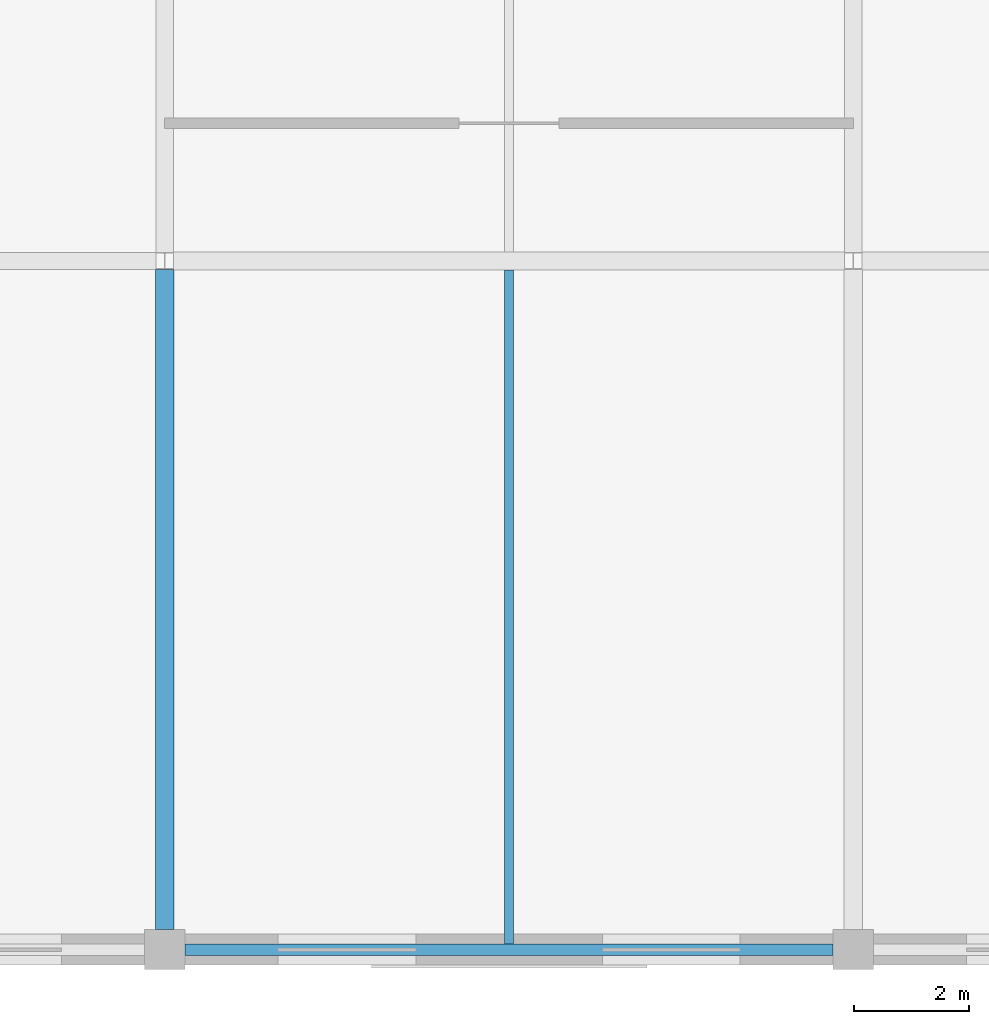
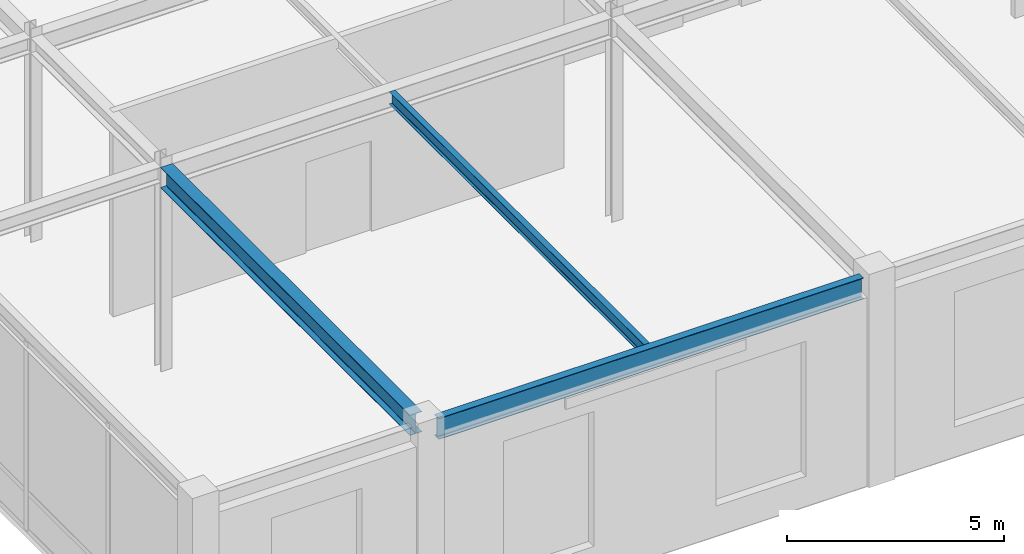
# One storey, part 59 of 108: 3 beams.
"""IFC4 building model written with IfcOpenShell, lengths in metres."""

from ifc_helpers import new_model, si_unit, direction, frame, origin, origin_2d, place, context, subcontext, project, spatial, i_section, extrude, material, material_profile, profile_set, type_object, element, save


model = new_model("IFC4")

# Units and contexts
model_context = context("Model", 3, precision=1e-05, world=origin(), true_north=direction((0.0, 1.0)))
body_context = subcontext(model_context, "Body", "Model", "MODEL_VIEW")
ifc_project = project(units=[si_unit("LENGTHUNIT", "METRE"), si_unit("AREAUNIT", "SQUARE_METRE"), si_unit("VOLUMEUNIT", "CUBIC_METRE"), si_unit("PLANEANGLEUNIT", "RADIAN"), si_unit("MASSUNIT", "GRAM", prefix="KILO")], contexts=[model_context])

# Site, building, storey
site_placement = place(None, origin())
site = spatial("IfcSite", under=ifc_project, at=site_placement, CompositionType="ELEMENT")
building_placement = place(site_placement, origin())
building = spatial("IfcBuilding", under=site, at=building_placement, Name="Zlatovratsky Civic Hall", CompositionType="ELEMENT")
storey_placement = place(building_placement, frame((0.0, 0.0, 6.0)))
storey = spatial("IfcBuildingStorey", under=building, at=storey_placement, Name="L02", CompositionType="ELEMENT", Elevation=6.0)

# Beams
ifc_material = material(Name="Steel S355", Category="steel")
ifc_material_profile_1 = material_profile(ifc_material, i_section(OverallWidth=0.320068359375, OverallDepth=0.58203125, WebThickness=0.011962890625, FlangeThickness=0.01708984375, FilletRadius=0.02392578125, at=origin_2d()), Name="60Sh1")
ifc_profile_set_1 = profile_set([ifc_material_profile_1], Name="Steel S355")
beam_type_1 = type_object("IfcBeamType", Name="Beam_PodiumGirder_60Sh1", PredefinedType="BEAM", material=ifc_profile_set_1)
beam_1_placement = place(storey_placement, frame((120.0, 0.35009765625, 5.468994140625), z_axis=(0.0, 1.0, 0.0), x_axis=(-1.0, 0.0, 0.0)))
element("IfcBeam", 1, at=beam_1_placement, inside=storey, type_object=beam_type_1, Name="BM-2299", PredefinedType="BEAM", context=body_context, shape_type="SweptSolid", body=[
    extrude(i_section(OverallWidth=0.320068359375, OverallDepth=0.58203125, WebThickness=0.011962890625, FlangeThickness=0.01708984375, FilletRadius=0.02392578125, at=origin_2d()), origin(), (0.0, 0.0, 1.0), 11.5),
])
ifc_material_profile_2 = material_profile(ifc_material, i_section(OverallWidth=0.198974609375, OverallDepth=0.593017578125, WebThickness=0.010498046875, FlangeThickness=0.014892578125, FilletRadius=0.01806640625, at=origin_2d()), Name="60B1")
ifc_profile_set_2 = profile_set([ifc_material_profile_2], Name="Steel S355")
beam_type_2 = type_object("IfcBeamType", Name="Beam_Spandrel_60B1", PredefinedType="SPANDREL", material=ifc_profile_set_2)
beam_2_placement = place(storey_placement, frame((120.35009765625, 0.0, 5.46337890625), z_axis=(1.0, 0.0, 0.0), x_axis=(0.0, 1.0, 0.0)))
element("IfcBeam", 2, at=beam_2_placement, inside=storey, type_object=beam_type_2, Name="BM-1734", PredefinedType="SPANDREL", context=body_context, shape_type="SweptSolid", body=[
    extrude(i_section(OverallWidth=0.198974609375, OverallDepth=0.593017578125, WebThickness=0.010498046875, FlangeThickness=0.014892578125, FilletRadius=0.01806640625, at=origin_2d()), origin(), (0.0, 0.0, 1.0), 11.2998046875),
])
ifc_material_profile_3 = material_profile(ifc_material, i_section(OverallWidth=0.155029296875, OverallDepth=0.345947265625, WebThickness=0.006103515625, FlangeThickness=0.008544921875, FilletRadius=0.013916015625, at=origin_2d()), Name="35B1")
ifc_profile_set_3 = profile_set([ifc_material_profile_3], Name="Steel S355")
beam_type_3 = type_object("IfcBeamType", Name="Joist_Podium_35B1", PredefinedType="JOIST", material=ifc_profile_set_3)
beam_3_placement = place(storey_placement, frame((126.0, 0.099609375, 5.5869140625), z_axis=(0.0, 1.0, 0.0), x_axis=(-1.0, 0.0, 0.0)))
element("IfcBeam", 3, at=beam_3_placement, inside=storey, type_object=beam_type_3, Name="BM-2392", PredefinedType="JOIST", context=body_context, shape_type="SweptSolid", body=[
    extrude(i_section(OverallWidth=0.155029296875, OverallDepth=0.345947265625, WebThickness=0.006103515625, FlangeThickness=0.008544921875, FilletRadius=0.013916015625, at=origin_2d()), origin(), (0.0, 0.0, 1.0), 11.740478515625),
])

save(model, "model.ifc")
